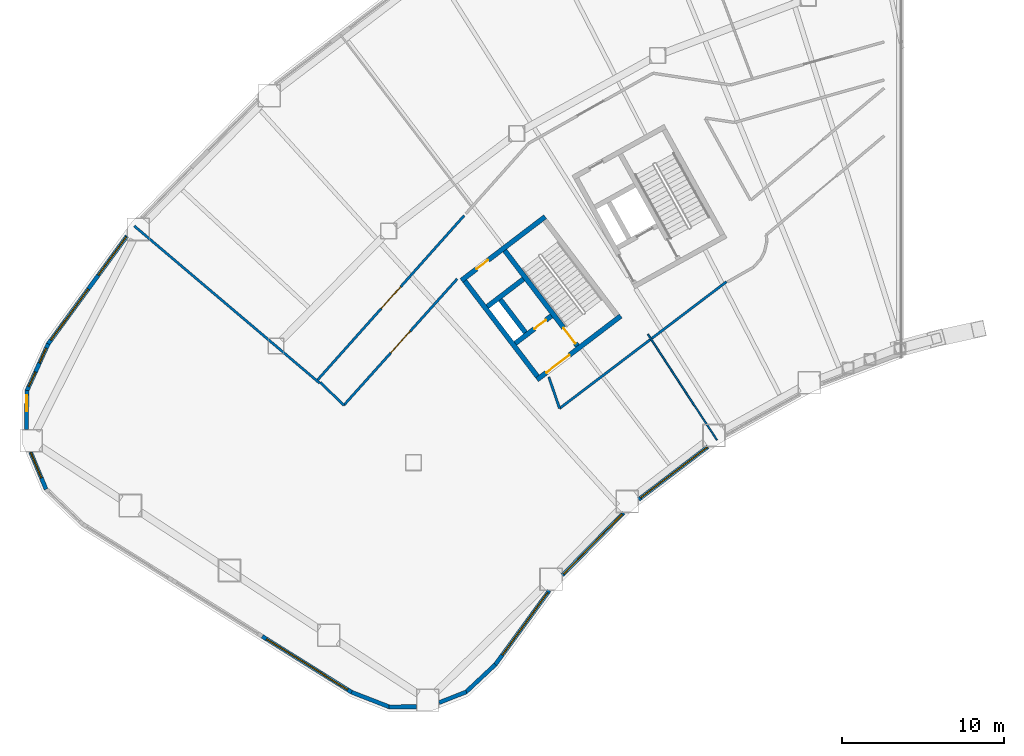
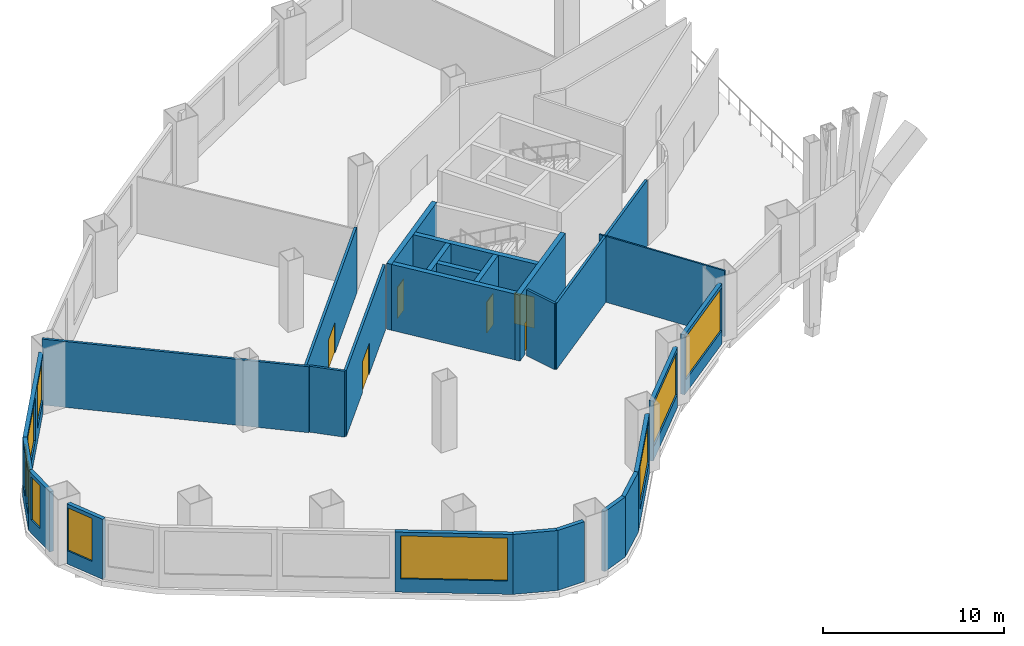
# One storey, part 6 of 14: 26 walls, 10 windows, 6 doors, 16 openings.
"""IFC4 building model written with IfcOpenShell, lengths in metres."""

from ifc_helpers import new_model, si_unit, direction, frame, frame_2d, origin, place, context, subcontext, project, spatial, rectangle, extrude, material, layer, layer_set, type_object, element, fill, save


model = new_model("IFC4")

# Units and contexts
model_context = context("Model", 3, precision=1e-05, world=origin(), true_north=direction((0.0, 1.0)))
body_context = subcontext(model_context, "Body", "Model", "MODEL_VIEW")
ifc_project = project(units=[si_unit("LENGTHUNIT", "METRE"), si_unit("AREAUNIT", "SQUARE_METRE"), si_unit("VOLUMEUNIT", "CUBIC_METRE"), si_unit("PLANEANGLEUNIT", "RADIAN"), si_unit("MASSUNIT", "GRAM", prefix="KILO")], contexts=[model_context])

# Site, building, storey
site_placement = place(None, origin())
site = spatial("IfcSite", under=ifc_project, at=site_placement, CompositionType="ELEMENT")
building_placement = place(site_placement, origin())
building = spatial("IfcBuilding", under=site, at=building_placement, Name="Tuul Gate Civic Tower", CompositionType="ELEMENT")
storey_placement = place(building_placement, frame((0.0, 0.0, 17.10009765625)))
storey = spatial("IfcBuildingStorey", under=building, at=storey_placement, Name="Level 03", CompositionType="ELEMENT", Elevation=17.10009765625)

# Wall, opening, door
ifc_material_1 = material(Name="Concrete C50/60", Category="concrete")
ifc_layer_1 = layer(ifc_material_1, 0.300048828125)
ifc_layer_set_1 = layer_set([ifc_layer_1], Name="Concrete C50/60")
wall_type_1 = type_object("IfcWallType", Name="Core wall C50/60", PredefinedType="SHEAR", material=ifc_layer_set_1)
wall_1_placement = place(storey_placement, frame((-31.19091796875, -13.669677734375, 0.0), z_axis=(0.0, 0.0, 1.0), x_axis=(-0.795606717756, -0.605813461934, 0.0)))
wall_1 = element("IfcWall", 1, at=wall_1_placement, inside=storey, type_object=wall_type_1, Name="Core wall", PredefinedType="SHEAR", context=body_context, shape_type="SweptSolid", body=[
    extrude(rectangle(XDim=6.5, YDim=0.300048828125, at=frame_2d((3.25, 0.0))), origin(), (0.0, 0.0, 1.0), 4.449951171875),
])
opening_1_placement = place(wall_1_placement, frame((3.97509765625, 0.0, 0.0)))
opening_1 = element("IfcOpeningElement", 2, at=opening_1_placement, cuts=wall_1, Name="Opening LB-W1-LOBBY-1", PredefinedType="OPENING", context=body_context, shape_type="SweptSolid", body=[
    extrude(rectangle(XDim=1.800048828125, YDim=2.10009765625, at=frame_2d((0.89990234375, 1.050048828125))), frame((0.0, 0.16015625, 0.0), z_axis=(0.0, -1.0, 0.0), x_axis=(1.0, 0.0, 0.0)), (0.0, 0.0, 1.0), 0.320068359375),
])
ifc_material_2 = material(Name="Steel", Category="steel")
door_type_1 = type_object("IfcDoorType", Name="Lobby door", OperationType="DOUBLE_DOOR_SINGLE_SWING", PredefinedType="DOOR", material=ifc_material_2)
door_1_placement = place(opening_1_placement, origin())
door_1 = element("IfcDoor", 3, at=door_1_placement, inside=storey, type_object=door_type_1, Name="Lobby door W1-LOBBY", OperationType="DOUBLE_DOOR_SINGLE_SWING", OverallHeight=2.10009765625, OverallWidth=1.800048828125, PredefinedType="DOOR", context=body_context, shape_type="SweptSolid", body=[
    extrude(rectangle(XDim=1.800048828125, YDim=2.10009765625, at=frame_2d((0.89990234375, 1.050048828125))), frame((0.0, 0.02490234375, 0.0), z_axis=(0.0, -1.0, 0.0), x_axis=(1.0, 0.0, 0.0)), (0.0, 0.0, 1.0), 0.050048828125),
])
fill(opening_1, door_1)

wall_2_placement = place(storey_placement, frame((-35.470947265625, -13.66064453125, 0.0), z_axis=(0.0, 0.0, 1.0), x_axis=(-0.795615822227, -0.605801504968, 0.0)))
wall_2 = element("IfcWall", 4, at=wall_2_placement, inside=storey, type_object=wall_type_1, Name="Core wall", PredefinedType="SHEAR", context=body_context, shape_type="SweptSolid", body=[
    extrude(rectangle(XDim=2.800048828125, YDim=0.300048828125, at=frame_2d((1.39990234375, 0.0))), origin(), (0.0, 0.0, 1.0), 4.449951171875),
])
opening_2_placement = place(wall_2_placement, frame((0.425048828125, 0.0, 0.0)))
opening_2 = element("IfcOpeningElement", 5, at=opening_2_placement, cuts=wall_2, Name="Opening FB-W1A1", PredefinedType="OPENING", context=body_context, shape_type="SweptSolid", body=[
    extrude(rectangle(XDim=0.89990234375, YDim=2.10009765625, at=frame_2d((0.449951171875, 1.050048828125))), frame((0.0, 0.16015625, 0.0), z_axis=(0.0, -1.0, 0.0), x_axis=(1.0, 0.0, 0.0)), (0.0, 0.0, 1.0), 0.320068359375),
])
ifc_material_3 = material(Name="Steel", Category="steel")
door_type_2 = type_object("IfcDoorType", Name="Store door", OperationType="NOTDEFINED", PredefinedType="DOOR", material=ifc_material_3)
door_2_placement = place(opening_2_placement, frame((0.89990234375, 0.0, 0.0), z_axis=(0.0, 0.0, 1.0), x_axis=(-1.0, 0.0, 0.0)))
door_2 = element("IfcDoor", 6, at=door_2_placement, inside=storey, type_object=door_type_2, Name="Store door W1A1", OperationType="SINGLE_SWING_RIGHT", OverallHeight=2.10009765625, OverallWidth=0.89990234375, PredefinedType="DOOR", context=body_context, shape_type="SweptSolid", body=[
    extrude(rectangle(XDim=0.89990234375, YDim=2.10009765625, at=frame_2d((0.449951171875, 1.050048828125))), frame((0.0, 0.02490234375, 0.0), z_axis=(0.0, -1.0, 0.0), x_axis=(1.0, 0.0, 0.0)), (0.0, 0.0, 1.0), 0.050048828125),
])
fill(opening_2, door_2)

# Wall
wall_3_placement = place(storey_placement, frame((-37.197509765625, -11.39306640625, 0.0), z_axis=(0.0, 0.0, 1.0), x_axis=(-0.795583820278, -0.605843531707, 0.0)))
element("IfcWall", 7, at=wall_3_placement, inside=storey, type_object=wall_type_1, Name="Core wall", PredefinedType="SHEAR", context=body_context, shape_type="SweptSolid", body=[
    extrude(rectangle(XDim=2.7998046875, YDim=0.300048828125, at=frame_2d((1.39990234375, 0.0))), origin(), (0.0, 0.0, 1.0), 4.449951171875),
])

# Wall, opening, door
wall_4_placement = place(storey_placement, frame((-35.855224609375, -7.543212890625, 0.0), z_axis=(0.0, 0.0, 1.0), x_axis=(-0.79563860527, -0.605771582202, 0.0)))
wall_4 = element("IfcWall", 8, at=wall_4_placement, inside=storey, type_object=wall_type_1, Name="Core wall", PredefinedType="SHEAR", context=body_context, shape_type="SweptSolid", body=[
    extrude(rectangle(XDim=6.5, YDim=0.300048828125, at=frame_2d((3.25, 0.0))), origin(), (0.0, 0.0, 1.0), 4.449951171875),
])
opening_3_placement = place(wall_4_placement, frame((4.425048828125, 0.0, 0.0)))
opening_3 = element("IfcOpeningElement", 9, at=opening_3_placement, cuts=wall_4, Name="Opening QC-D20", PredefinedType="OPENING", context=body_context, shape_type="SweptSolid", body=[
    extrude(rectangle(XDim=0.89990234375, YDim=2.10009765625, at=frame_2d((0.449951171875, 1.050048828125))), frame((0.0, 0.16015625, 0.0), z_axis=(0.0, -1.0, 0.0), x_axis=(1.0, 0.0, 0.0)), (0.0, 0.0, 1.0), 0.320068359375),
])
ifc_material_4 = material(Name="Timber door leaf", Category="wood")
door_type_3 = type_object("IfcDoorType", Name="Door D09", OperationType="NOTDEFINED", PredefinedType="DOOR", material=ifc_material_4)
door_3_placement = place(opening_3_placement, origin())
door_3 = element("IfcDoor", 10, at=door_3_placement, inside=storey, type_object=door_type_3, Name="Door QC-D20", OperationType="SINGLE_SWING_LEFT", OverallHeight=2.10009765625, OverallWidth=0.89990234375, PredefinedType="DOOR", context=body_context, shape_type="SweptSolid", body=[
    extrude(rectangle(XDim=0.89990234375, YDim=2.10009765625, at=frame_2d((0.449951171875, 1.050048828125))), frame((0.0, 0.02490234375, 0.0), z_axis=(0.0, -1.0, 0.0), x_axis=(1.0, 0.0, 0.0)), (0.0, 0.0, 1.0), 0.050048828125),
])
fill(opening_3, door_3)

wall_5_placement = place(storey_placement, frame((-33.867431640625, -15.51904296875, 0.0), z_axis=(0.0, 0.0, 1.0), x_axis=(-0.605769822278, 0.795639945213, 0.0)))
wall_5 = element("IfcWall", 11, at=wall_5_placement, inside=storey, type_object=wall_type_1, Name="Core wall", PredefinedType="SHEAR", context=body_context, shape_type="SweptSolid", body=[
    extrude(rectangle(XDim=7.39990234375, YDim=0.300048828125, at=frame_2d((3.699951171875, 0.0))), origin(), (0.0, 0.0, 1.0), 4.449951171875),
])
opening_4_placement = place(wall_5_placement, frame((0.199951171875, 0.0, 0.0)))
opening_4 = element("IfcOpeningElement", 12, at=opening_4_placement, cuts=wall_5, Name="Opening SD-ST-1", PredefinedType="OPENING", context=body_context, shape_type="SweptSolid", body=[
    extrude(rectangle(XDim=1.199951171875, YDim=2.10009765625, at=frame_2d((0.60009765625, 1.050048828125))), frame((0.0, 0.16015625, 0.0), z_axis=(0.0, -1.0, 0.0), x_axis=(1.0, 0.0, 0.0)), (0.0, 0.0, 1.0), 0.320068359375),
])
ifc_material_5 = material(Name="Steel", Category="steel")
door_type_4 = type_object("IfcDoorType", Name="Stair door", OperationType="NOTDEFINED", PredefinedType="DOOR", material=ifc_material_5)
door_4_placement = place(opening_4_placement, origin())
door_4 = element("IfcDoor", 13, at=door_4_placement, inside=storey, type_object=door_type_4, Name="Stair door ST-1", OperationType="SINGLE_SWING_LEFT", OverallHeight=2.10009765625, OverallWidth=1.199951171875, PredefinedType="DOOR", context=body_context, shape_type="SweptSolid", body=[
    extrude(rectangle(XDim=1.199951171875, YDim=2.10009765625, at=frame_2d((0.60009765625, 1.050048828125))), frame((0.0, 0.02490234375, 0.0), z_axis=(0.0, -1.0, 0.0), x_axis=(1.0, 0.0, 0.0)), (0.0, 0.0, 1.0), 0.050048828125),
])
fill(opening_4, door_4)

# Walls
wall_6_placement = place(storey_placement, frame((-37.073486328125, -14.6923828125, 0.0), z_axis=(0.0, 0.0, 1.0), x_axis=(-0.605728760074, 0.79567120673, 0.0)))
element("IfcWall", 14, at=wall_6_placement, inside=storey, type_object=wall_type_1, Name="Core wall", PredefinedType="SHEAR", context=body_context, shape_type="SweptSolid", body=[
    extrude(rectangle(XDim=2.550048828125, YDim=0.300048828125, at=frame_2d((1.27490234375, 0.0))), origin(), (0.0, 0.0, 1.0), 4.449951171875),
])
wall_7_placement = place(storey_placement, frame((-36.333984375, -17.397216796875, 0.0), z_axis=(0.0, 0.0, 1.0), x_axis=(-0.605753921168, 0.795652051458, 0.0)))
element("IfcWall", 15, at=wall_7_placement, inside=storey, type_object=wall_type_1, Name="Core wall", PredefinedType="SHEAR", context=body_context, shape_type="SweptSolid", body=[
    extrude(rectangle(XDim=7.400146484375, YDim=0.300048828125, at=frame_2d((3.7001953125, 0.0))), origin(), (0.0, 0.0, 1.0), 4.449951171875),
])

# Wall, opening, door
ifc_material_6 = material(Name="Gypsum board partition")
ifc_layer_2 = layer(ifc_material_6, 0.14990234375)
ifc_layer_set_2 = layer_set([ifc_layer_2], Name="Gypsum board partition")
wall_type_2 = type_object("IfcWallType", Name="Corridor wall P150", PredefinedType="PARTITIONING", material=ifc_layer_set_2)
wall_8_placement = place(storey_placement, frame((-49.89306640625, -17.607421875, 0.0), z_axis=(0.0, 0.0, 1.0), x_axis=(0.665630543128, 0.746281434886, 0.0)))
wall_8 = element("IfcWall", 16, at=wall_8_placement, inside=storey, type_object=wall_type_2, Name="p018", PredefinedType="PARTITIONING", context=body_context, shape_type="SweptSolid", body=[
    extrude(rectangle(XDim=13.57958984375, YDim=0.14990234375, at=frame_2d((6.789794921875, 0.0))), origin(), (0.0, 0.0, 1.0), 4.449951171875),
])
opening_5_placement = place(wall_8_placement, frame((5.889892578125, 0.0, 0.0)))
opening_5 = element("IfcOpeningElement", 17, at=opening_5_placement, cuts=wall_8, Name="Opening QC-D06", PredefinedType="OPENING", context=body_context, shape_type="SweptSolid", body=[
    extrude(rectangle(XDim=1.800048828125, YDim=2.10009765625, at=frame_2d((0.89990234375, 1.050048828125))), frame((0.0, 0.0849609375, 0.0), z_axis=(0.0, -1.0, 0.0), x_axis=(1.0, 0.0, 0.0)), (0.0, 0.0, 1.0), 0.169921875),
])
ifc_material_7 = material(Name="Timber door leaf, double", Category="wood")
door_type_5 = type_object("IfcDoorType", Name="Door D18", OperationType="DOUBLE_DOOR_SINGLE_SWING", PredefinedType="DOOR", material=ifc_material_7)
door_5_placement = place(opening_5_placement, origin())
door_5 = element("IfcDoor", 18, at=door_5_placement, inside=storey, type_object=door_type_5, Name="Door QC-D06", OperationType="DOUBLE_DOOR_SINGLE_SWING", OverallHeight=2.10009765625, OverallWidth=1.800048828125, PredefinedType="DOOR", context=body_context, shape_type="SweptSolid", body=[
    extrude(rectangle(XDim=1.800048828125, YDim=2.10009765625, at=frame_2d((0.89990234375, 1.050048828125))), frame((0.0, 0.02490234375, 0.0), z_axis=(0.0, -1.0, 0.0), x_axis=(1.0, 0.0, 0.0)), (0.0, 0.0, 1.0), 0.050048828125),
])
fill(opening_5, door_5)

# Walls
wall_9_placement = place(storey_placement, frame((-49.72705078125, -17.77001953125, 0.0), z_axis=(0.0, 0.0, 1.0), x_axis=(0.717018435947, -0.697054203424, 0.0)))
element("IfcWall", 19, at=wall_9_placement, inside=storey, type_object=wall_type_2, Name="p022", PredefinedType="PARTITIONING", context=body_context, shape_type="SweptSolid", body=[
    extrude(rectangle(XDim=2.017822265625, YDim=0.14990234375, at=frame_2d((1.0087890625, 0.0))), origin(), (0.0, 0.0, 1.0), 4.449951171875),
])
wall_10_placement = place(storey_placement, frame((-61.213623046875, -8.1142578125, 0.0), z_axis=(0.0, 0.0, 1.0), x_axis=(0.762863616732, -0.646559434442, 0.0)))
element("IfcWall", 20, at=wall_10_placement, inside=storey, type_object=wall_type_2, Name="p023", PredefinedType="PARTITIONING", context=body_context, shape_type="SweptSolid", body=[
    extrude(rectangle(XDim=14.996337890625, YDim=0.14990234375, at=frame_2d((7.498046875, 0.0))), origin(), (0.0, 0.0, 1.0), 4.449951171875),
])
wall_11_placement = place(storey_placement, frame((-34.96630859375, -19.373779296875, 0.0), z_axis=(0.0, 0.0, 1.0), x_axis=(0.796510976009, 0.604624069234, 0.0)))
element("IfcWall", 21, at=wall_11_placement, inside=storey, type_object=wall_type_2, Name="p031", PredefinedType="PARTITIONING", context=body_context, shape_type="SweptSolid", body=[
    extrude(rectangle(XDim=12.930419921875, YDim=0.14990234375, at=frame_2d((6.46533203125, 0.0))), origin(), (0.0, 0.0, 1.0), 4.449951171875),
])

# Wall, opening, door
wall_12_placement = place(storey_placement, frame((-48.2802734375, -19.176513671875, 0.0), z_axis=(0.0, 0.0, 1.0), x_axis=(0.667908748066, 0.744243175485, 0.0)))
wall_12 = element("IfcWall", 22, at=wall_12_placement, inside=storey, type_object=wall_type_2, Name="p039", PredefinedType="PARTITIONING", context=body_context, shape_type="SweptSolid", body=[
    extrude(rectangle(XDim=10.468017578125, YDim=0.14990234375, at=frame_2d((5.23388671875, 0.0))), origin(), (0.0, 0.0, 1.0), 4.449951171875),
])
opening_6_placement = place(wall_12_placement, frame((4.333984375, 0.0, 0.0)))
opening_6 = element("IfcOpeningElement", 23, at=opening_6_placement, cuts=wall_12, Name="Opening QC-D11", PredefinedType="OPENING", context=body_context, shape_type="SweptSolid", body=[
    extrude(rectangle(XDim=1.800048828125, YDim=2.10009765625, at=frame_2d((0.89990234375, 1.050048828125))), frame((0.0, 0.0849609375, 0.0), z_axis=(0.0, -1.0, 0.0), x_axis=(1.0, 0.0, 0.0)), (0.0, 0.0, 1.0), 0.169921875),
])
door_6_placement = place(opening_6_placement, frame((1.800048828125, 0.0, 0.0), z_axis=(0.0, 0.0, 1.0), x_axis=(-1.0, 0.0, 0.0)))
door_6 = element("IfcDoor", 24, at=door_6_placement, inside=storey, type_object=door_type_5, Name="Door QC-D11", OperationType="DOUBLE_DOOR_SINGLE_SWING", OverallHeight=2.10009765625, OverallWidth=1.800048828125, PredefinedType="DOOR", context=body_context, shape_type="SweptSolid", body=[
    extrude(rectangle(XDim=1.800048828125, YDim=2.10009765625, at=frame_2d((0.900146484375, 1.050048828125))), frame((0.0, 0.02490234375, 0.0), z_axis=(0.0, -1.0, 0.0), x_axis=(1.0, 0.0, 0.0)), (0.0, 0.0, 1.0), 0.050048828125),
])
fill(opening_6, door_6)

# Wall
wall_13_placement = place(storey_placement, frame((-35.632568359375, -17.4287109375, 0.0), z_axis=(0.0, 0.0, 1.0), x_axis=(0.32412398195, -0.946014611053, 0.0)))
element("IfcWall", 25, at=wall_13_placement, inside=storey, type_object=wall_type_2, Name="p040", PredefinedType="PARTITIONING", context=body_context, shape_type="SweptSolid", body=[
    extrude(rectangle(XDim=2.056396484375, YDim=0.14990234375, at=frame_2d((1.0283203125, 0.0))), origin(), (0.0, 0.0, 1.0), 4.449951171875),
])

# Wall, openings, windows
ifc_material_8 = material(Name="Precast concrete C40/50", Category="concrete")
ifc_layer_3 = layer(ifc_material_8, 0.25)
ifc_layer_set_3 = layer_set([ifc_layer_3], Name="Precast concrete C40/50")
wall_type_3 = type_object("IfcWallType", Name="External wall", PredefinedType="STANDARD", material=ifc_layer_set_3)
wall_14_placement = place(storey_placement, frame((-61.660888671875, -8.7353515625, 0.0), z_axis=(0.0, 0.0, 1.0), x_axis=(-0.589883240256, -0.807488552777, 0.0)))
wall_14 = element("IfcWall", 26, at=wall_14_placement, inside=storey, type_object=wall_type_3, Name="External wall", PredefinedType="STANDARD", context=body_context, shape_type="SweptSolid", body=[
    extrude(rectangle(XDim=8.26318359375, YDim=0.25, at=frame_2d((4.131591796875, 0.0))), origin(), (0.0, 0.0, 1.0), 4.0498046875),
])
opening_7_placement = place(wall_14_placement, frame((0.0859375, 0.0, 0.89990234375)))
opening_7 = element("IfcOpeningElement", 27, at=opening_7_placement, cuts=wall_14, Name="Opening W83", PredefinedType="OPENING", context=body_context, shape_type="SweptSolid", body=[
    extrude(rectangle(XDim=2.89990234375, YDim=2.89990234375, at=frame_2d((1.449951171875, 1.449951171875))), frame((0.0, 0.135009765625, 0.0), z_axis=(0.0, -1.0, 0.0), x_axis=(1.0, 0.0, 0.0)), (0.0, 0.0, 1.0), 0.27001953125),
])
opening_8_placement = place(wall_14_placement, frame((4.0537109375, 0.0, 0.89990234375)))
opening_8 = element("IfcOpeningElement", 28, at=opening_8_placement, cuts=wall_14, Name="Opening W11", PredefinedType="OPENING", context=body_context, shape_type="SweptSolid", body=[
    extrude(rectangle(XDim=3.89990234375, YDim=2.89990234375, at=frame_2d((1.949951171875, 1.449951171875))), frame((0.0, 0.135009765625, 0.0), z_axis=(0.0, -1.0, 0.0), x_axis=(1.0, 0.0, 0.0)), (0.0, 0.0, 1.0), 0.27001953125),
])
ifc_material_9 = material(Name="Glass", Category="glass")
window_type_1 = type_object("IfcWindowType", Name="Window W11 3900 x 2900", PartitioningType="SINGLE_PANEL", PredefinedType="WINDOW", material=ifc_material_9)
window_1_placement = place(opening_8_placement, origin())
window_1 = element("IfcWindow", 29, at=window_1_placement, inside=storey, type_object=window_type_1, Name="Window", OverallHeight=2.89990234375, OverallWidth=3.89990234375, PartitioningType="SINGLE_PANEL", PredefinedType="WINDOW", context=body_context, shape_type="SweptSolid", body=[
    extrude(rectangle(XDim=3.89990234375, YDim=2.89990234375, at=frame_2d((1.949951171875, 1.449951171875))), frame((0.0, 0.030029296875, 0.0), z_axis=(0.0, -1.0, 0.0), x_axis=(1.0, 0.0, 0.0)), (0.0, 0.0, 1.0), 0.06005859375),
])
fill(opening_8, window_1)
ifc_material_10 = material(Name="Glass", Category="glass")
window_type_2 = type_object("IfcWindowType", Name="Window W83 2900 x 2900", PartitioningType="SINGLE_PANEL", PredefinedType="WINDOW", material=ifc_material_10)
window_2_placement = place(opening_7_placement, origin())
window_2 = element("IfcWindow", 30, at=window_2_placement, inside=storey, type_object=window_type_2, Name="Window", OverallHeight=2.89990234375, OverallWidth=2.89990234375, PartitioningType="SINGLE_PANEL", PredefinedType="WINDOW", context=body_context, shape_type="SweptSolid", body=[
    extrude(rectangle(XDim=2.89990234375, YDim=2.89990234375, at=frame_2d((1.449951171875, 1.449951171875))), frame((0.0, 0.030029296875, 0.0), z_axis=(0.0, -1.0, 0.0), x_axis=(1.0, 0.0, 0.0)), (0.0, 0.0, 1.0), 0.06005859375),
])
fill(opening_7, window_2)

wall_15_placement = place(storey_placement, frame((-66.522216796875, -15.385498046875, 0.0), z_axis=(0.0, 0.0, 1.0), x_axis=(-0.412481289983, -0.910966072592, 0.0)))
wall_15 = element("IfcWall", 31, at=wall_15_placement, inside=storey, type_object=wall_type_3, Name="External wall", PredefinedType="STANDARD", context=body_context, shape_type="SweptSolid", body=[
    extrude(rectangle(XDim=3.2021484375, YDim=0.25, at=frame_2d((1.60107421875, 0.0))), origin(), (0.0, 0.0, 1.0), 4.0498046875),
])
opening_9_placement = place(wall_15_placement, frame((0.300537109375, 0.0, 0.89990234375)))
opening_9 = element("IfcOpeningElement", 32, at=opening_9_placement, cuts=wall_15, Name="Opening W10", PredefinedType="OPENING", context=body_context, shape_type="SweptSolid", body=[
    extrude(rectangle(XDim=1.0, YDim=2.89990234375, at=frame_2d((0.5, 1.449951171875))), frame((0.0, 0.135009765625, 0.0), z_axis=(0.0, -1.0, 0.0), x_axis=(1.0, 0.0, 0.0)), (0.0, 0.0, 1.0), 0.27001953125),
])
opening_10_placement = place(wall_15_placement, frame((1.901611328125, 0.0, 0.89990234375)))
opening_10 = element("IfcOpeningElement", 33, at=opening_10_placement, cuts=wall_15, Name="Opening W10", PredefinedType="OPENING", context=body_context, shape_type="SweptSolid", body=[
    extrude(rectangle(XDim=1.0, YDim=2.89990234375, at=frame_2d((0.5, 1.449951171875))), frame((0.0, 0.135009765625, 0.0), z_axis=(0.0, -1.0, 0.0), x_axis=(1.0, 0.0, 0.0)), (0.0, 0.0, 1.0), 0.27001953125),
])
ifc_material_11 = material(Name="Glass", Category="glass")
window_type_3 = type_object("IfcWindowType", Name="Window W10 1000 x 2900", PartitioningType="SINGLE_PANEL", PredefinedType="WINDOW", material=ifc_material_11)
window_3_placement = place(opening_9_placement, origin())
window_3 = element("IfcWindow", 34, at=window_3_placement, inside=storey, type_object=window_type_3, Name="Window", OverallHeight=2.89990234375, OverallWidth=1.0, PartitioningType="SINGLE_PANEL", PredefinedType="WINDOW", context=body_context, shape_type="SweptSolid", body=[
    extrude(rectangle(XDim=1.0, YDim=2.89990234375, at=frame_2d((0.5, 1.449951171875))), frame((0.0, 0.030029296875, 0.0), z_axis=(0.0, -1.0, 0.0), x_axis=(1.0, 0.0, 0.0)), (0.0, 0.0, 1.0), 0.06005859375),
])
fill(opening_9, window_3)
window_4_placement = place(opening_10_placement, origin())
window_4 = element("IfcWindow", 35, at=window_4_placement, inside=storey, type_object=window_type_3, Name="Window", OverallHeight=2.89990234375, OverallWidth=1.0, PartitioningType="SINGLE_PANEL", PredefinedType="WINDOW", context=body_context, shape_type="SweptSolid", body=[
    extrude(rectangle(XDim=1.0, YDim=2.89990234375, at=frame_2d((0.5, 1.449951171875))), frame((0.0, 0.030029296875, 0.0), z_axis=(0.0, -1.0, 0.0), x_axis=(1.0, 0.0, 0.0)), (0.0, 0.0, 1.0), 0.06005859375),
])
fill(opening_10, window_4)

# Wall, opening, window
wall_16_placement = place(storey_placement, frame((-67.83203125, -18.2529296875, 0.0), z_axis=(0.0, 0.0, 1.0), x_axis=(-0.014662663038, -0.999892497378, 0.0)))
wall_16 = element("IfcWall", 36, at=wall_16_placement, inside=storey, type_object=wall_type_3, Name="External wall", PredefinedType="STANDARD", context=body_context, shape_type="SweptSolid", body=[
    extrude(rectangle(XDim=2.414306640625, YDim=0.25, at=frame_2d((1.20703125, 0.0))), origin(), (0.0, 0.0, 1.0), 4.0498046875),
])
opening_11_placement = place(wall_16_placement, frame((0.300537109375, 0.0, 0.89990234375)))
opening_11 = element("IfcOpeningElement", 37, at=opening_11_placement, cuts=wall_16, Name="Opening W10", PredefinedType="OPENING", context=body_context, shape_type="SweptSolid", body=[
    extrude(rectangle(XDim=1.0, YDim=2.89990234375, at=frame_2d((0.5, 1.449951171875))), frame((0.0, 0.135009765625, 0.0), z_axis=(0.0, -1.0, 0.0), x_axis=(1.0, 0.0, 0.0)), (0.0, 0.0, 1.0), 0.27001953125),
])
window_5_placement = place(opening_11_placement, origin())
window_5 = element("IfcWindow", 38, at=window_5_placement, inside=storey, type_object=window_type_3, Name="Window", OverallHeight=2.89990234375, OverallWidth=1.0, PartitioningType="SINGLE_PANEL", PredefinedType="WINDOW", context=body_context, shape_type="SweptSolid", body=[
    extrude(rectangle(XDim=1.0, YDim=2.89990234375, at=frame_2d((0.5, 1.449951171875))), frame((0.0, 0.030029296875, 0.0), z_axis=(0.0, -1.0, 0.0), x_axis=(1.0, 0.0, 0.0)), (0.0, 0.0, 1.0), 0.06005859375),
])
fill(opening_11, window_5)

wall_17_placement = place(storey_placement, frame((-67.61181640625, -22.06689453125, 0.0), z_axis=(0.0, 0.0, 1.0), x_axis=(0.38573160677, -0.922611038054, 0.0)))
wall_17 = element("IfcWall", 39, at=wall_17_placement, inside=storey, type_object=wall_type_3, Name="External wall", PredefinedType="STANDARD", context=body_context, shape_type="SweptSolid", body=[
    extrude(rectangle(XDim=2.484130859375, YDim=0.25, at=frame_2d((1.2421875, 0.0))), origin(), (0.0, 0.0, 1.0), 4.0498046875),
])
opening_12_placement = place(wall_17_placement, frame((0.033203125, 0.0, 0.89990234375)))
opening_12 = element("IfcOpeningElement", 40, at=opening_12_placement, cuts=wall_17, Name="Opening W9", PredefinedType="OPENING", context=body_context, shape_type="SweptSolid", body=[
    extrude(rectangle(XDim=1.699951171875, YDim=2.89990234375, at=frame_2d((0.85009765625, 1.449951171875))), frame((0.0, 0.135009765625, 0.0), z_axis=(0.0, -1.0, 0.0), x_axis=(1.0, 0.0, 0.0)), (0.0, 0.0, 1.0), 0.27001953125),
])
ifc_material_12 = material(Name="Glass", Category="glass")
window_type_4 = type_object("IfcWindowType", Name="Window W9 1700 x 2900", PartitioningType="SINGLE_PANEL", PredefinedType="WINDOW", material=ifc_material_12)
window_6_placement = place(opening_12_placement, origin())
window_6 = element("IfcWindow", 41, at=window_6_placement, inside=storey, type_object=window_type_4, Name="Window", OverallHeight=2.89990234375, OverallWidth=1.699951171875, PartitioningType="SINGLE_PANEL", PredefinedType="WINDOW", context=body_context, shape_type="SweptSolid", body=[
    extrude(rectangle(XDim=1.699951171875, YDim=2.89990234375, at=frame_2d((0.85009765625, 1.449951171875))), frame((0.0, 0.030029296875, 0.0), z_axis=(0.0, -1.0, 0.0), x_axis=(1.0, 0.0, 0.0)), (0.0, 0.0, 1.0), 0.06005859375),
])
fill(opening_12, window_6)

wall_18_placement = place(storey_placement, frame((-53.315185546875, -33.435546875, 0.0), z_axis=(0.0, 0.0, 1.0), x_axis=(0.848025609636, -0.529955248489, 0.0)))
wall_18 = element("IfcWall", 42, at=wall_18_placement, inside=storey, type_object=wall_type_3, Name="External wall", PredefinedType="STANDARD", context=body_context, shape_type="SweptSolid", body=[
    extrude(rectangle(XDim=6.52978515625, YDim=0.25, at=frame_2d((3.264892578125, 0.0))), origin(), (0.0, 0.0, 1.0), 4.0498046875),
])
opening_13_placement = place(wall_18_placement, frame((0.314697265625, 0.0, 0.89990234375)))
opening_13 = element("IfcOpeningElement", 43, at=opening_13_placement, cuts=wall_18, Name="Opening W14", PredefinedType="OPENING", context=body_context, shape_type="SweptSolid", body=[
    extrude(rectangle(XDim=5.89990234375, YDim=2.89990234375, at=frame_2d((2.949951171875, 1.449951171875))), frame((0.0, 0.135009765625, 0.0), z_axis=(0.0, -1.0, 0.0), x_axis=(1.0, 0.0, 0.0)), (0.0, 0.0, 1.0), 0.27001953125),
])
ifc_material_13 = material(Name="Glass", Category="glass")
window_type_5 = type_object("IfcWindowType", Name="Window W14 5900 x 2900", PartitioningType="SINGLE_PANEL", PredefinedType="WINDOW", material=ifc_material_13)
window_7_placement = place(opening_13_placement, origin())
window_7 = element("IfcWindow", 44, at=window_7_placement, inside=storey, type_object=window_type_5, Name="Window", OverallHeight=2.89990234375, OverallWidth=5.89990234375, PartitioningType="SINGLE_PANEL", PredefinedType="WINDOW", context=body_context, shape_type="SweptSolid", body=[
    extrude(rectangle(XDim=5.89990234375, YDim=2.89990234375, at=frame_2d((2.949951171875, 1.449951171875))), frame((0.0, 0.030029296875, 0.0), z_axis=(0.0, -1.0, 0.0), x_axis=(1.0, 0.0, 0.0)), (0.0, 0.0, 1.0), 0.06005859375),
])
fill(opening_13, window_7)

# Walls
wall_19_placement = place(storey_placement, frame((-47.798583984375, -36.885498046875, 0.0), z_axis=(0.0, 0.0, 1.0), x_axis=(0.931986397936, -0.36249324692, 0.0)))
element("IfcWall", 45, at=wall_19_placement, inside=storey, type_object=wall_type_3, Name="External wall", PredefinedType="STANDARD", context=body_context, shape_type="SweptSolid", body=[
    extrude(rectangle(XDim=2.507568359375, YDim=0.25, at=frame_2d((1.25390625, 0.0))), origin(), (0.0, 0.0, 1.0), 4.0498046875),
])
wall_20_placement = place(storey_placement, frame((-45.50732421875, -37.785888671875, 0.0), z_axis=(0.0, 0.0, 1.0), x_axis=(0.999995034341, 0.003151395324, 0.0)))
element("IfcWall", 46, at=wall_20_placement, inside=storey, type_object=wall_type_3, Name="External wall", PredefinedType="STANDARD", context=body_context, shape_type="SweptSolid", body=[
    extrude(rectangle(XDim=1.704345703125, YDim=0.25, at=frame_2d((0.85205078125, 0.0))), origin(), (0.0, 0.0, 1.0), 4.0498046875),
])
wall_21_placement = place(storey_placement, frame((-42.403076171875, -37.531005859375, 0.0), z_axis=(0.0, 0.0, 1.0), x_axis=(0.929466539536, 0.368906427001, 0.0)))
element("IfcWall", 47, at=wall_21_placement, inside=storey, type_object=wall_type_3, Name="External wall", PredefinedType="STANDARD", context=body_context, shape_type="SweptSolid", body=[
    extrude(rectangle(XDim=1.81396484375, YDim=0.25, at=frame_2d((0.906982421875, 0.0))), origin(), (0.0, 0.0, 1.0), 4.0498046875),
])
wall_22_placement = place(storey_placement, frame((-40.75634765625, -36.88671875, 0.0), z_axis=(0.0, 0.0, 1.0), x_axis=(0.729855985574, 0.683600936455, 0.0)))
element("IfcWall", 48, at=wall_22_placement, inside=storey, type_object=wall_type_3, Name="External wall", PredefinedType="STANDARD", context=body_context, shape_type="SweptSolid", body=[
    extrude(rectangle(XDim=2.507080078125, YDim=0.25, at=frame_2d((1.25341796875, 0.0))), origin(), (0.0, 0.0, 1.0), 4.0498046875),
])

# Wall, opening, window
wall_23_placement = place(storey_placement, frame((-38.94189453125, -35.190185546875, 0.0), z_axis=(0.0, 0.0, 1.0), x_axis=(0.589744217154, 0.807590093013, 0.0)))
wall_23 = element("IfcWall", 49, at=wall_23_placement, inside=storey, type_object=wall_type_3, Name="External wall", PredefinedType="STANDARD", context=body_context, shape_type="SweptSolid", body=[
    extrude(rectangle(XDim=5.6640625, YDim=0.25, at=frame_2d((2.83203125, 0.0))), origin(), (0.0, 0.0, 1.0), 4.0498046875),
])
opening_14_placement = place(wall_23_placement, frame((0.755859375, 0.0, 0.89990234375)))
opening_14 = element("IfcOpeningElement", 50, at=opening_14_placement, cuts=wall_23, Name="Opening W17", PredefinedType="OPENING", context=body_context, shape_type="SweptSolid", body=[
    extrude(rectangle(XDim=4.75, YDim=2.89990234375, at=frame_2d((2.375, 1.449951171875))), frame((0.0, 0.135009765625, 0.0), z_axis=(0.0, -1.0, 0.0), x_axis=(1.0, 0.0, 0.0)), (0.0, 0.0, 1.0), 0.27001953125),
])
ifc_material_14 = material(Name="Glass", Category="glass")
window_type_6 = type_object("IfcWindowType", Name="Window W17 4750 x 2900", PartitioningType="SINGLE_PANEL", PredefinedType="WINDOW", material=ifc_material_14)
window_8_placement = place(opening_14_placement, origin())
window_8 = element("IfcWindow", 51, at=window_8_placement, inside=storey, type_object=window_type_6, Name="Window", OverallHeight=2.89990234375, OverallWidth=4.75, PartitioningType="SINGLE_PANEL", PredefinedType="WINDOW", context=body_context, shape_type="SweptSolid", body=[
    extrude(rectangle(XDim=4.75, YDim=2.89990234375, at=frame_2d((2.375, 1.449951171875))), frame((0.0, 0.030029296875, 0.0), z_axis=(0.0, -1.0, 0.0), x_axis=(1.0, 0.0, 0.0)), (0.0, 0.0, 1.0), 0.06005859375),
])
fill(opening_14, window_8)

wall_24_placement = place(storey_placement, frame((-34.7919921875, -29.665283203125, 0.0), z_axis=(0.0, 0.0, 1.0), x_axis=(0.700007573651, 0.714135419112, 0.0)))
wall_24 = element("IfcWall", 52, at=wall_24_placement, inside=storey, type_object=wall_type_3, Name="External wall", PredefinedType="STANDARD", context=body_context, shape_type="SweptSolid", body=[
    extrude(rectangle(XDim=5.3916015625, YDim=0.25, at=frame_2d((2.69580078125, 0.0))), origin(), (0.0, 0.0, 1.0), 4.0498046875),
])
opening_15_placement = place(wall_24_placement, frame((0.117431640625, 0.0, 0.89990234375)))
opening_15 = element("IfcOpeningElement", 53, at=opening_15_placement, cuts=wall_24, Name="Opening W18", PredefinedType="OPENING", context=body_context, shape_type="SweptSolid", body=[
    extrude(rectangle(XDim=5.14990234375, YDim=2.89990234375, at=frame_2d((2.574951171875, 1.449951171875))), frame((0.0, 0.135009765625, 0.0), z_axis=(0.0, -1.0, 0.0), x_axis=(1.0, 0.0, 0.0)), (0.0, 0.0, 1.0), 0.27001953125),
])
ifc_material_15 = material(Name="Glass", Category="glass")
window_type_7 = type_object("IfcWindowType", Name="Window W18 5150 x 2900", PartitioningType="SINGLE_PANEL", PredefinedType="WINDOW", material=ifc_material_15)
window_9_placement = place(opening_15_placement, origin())
window_9 = element("IfcWindow", 54, at=window_9_placement, inside=storey, type_object=window_type_7, Name="Window", OverallHeight=2.89990234375, OverallWidth=5.14990234375, PartitioningType="SINGLE_PANEL", PredefinedType="WINDOW", context=body_context, shape_type="SweptSolid", body=[
    extrude(rectangle(XDim=5.14990234375, YDim=2.89990234375, at=frame_2d((2.574951171875, 1.449951171875))), frame((0.0, 0.030029296875, 0.0), z_axis=(0.0, -1.0, 0.0), x_axis=(1.0, 0.0, 0.0)), (0.0, 0.0, 1.0), 0.06005859375),
])
fill(opening_15, window_9)

wall_25_placement = place(storey_placement, frame((-30.0859375, -24.98974609375, 0.0), z_axis=(0.0, 0.0, 1.0), x_axis=(0.795633484335, 0.605778308134, 0.0)))
wall_25 = element("IfcWall", 55, at=wall_25_placement, inside=storey, type_object=wall_type_3, Name="External wall", PredefinedType="STANDARD", context=body_context, shape_type="SweptSolid", body=[
    extrude(rectangle(XDim=5.35986328125, YDim=0.25, at=frame_2d((2.679931640625, 0.0))), origin(), (0.0, 0.0, 1.0), 4.0498046875),
])
opening_16_placement = place(wall_25_placement, frame((0.1533203125, 0.0, 0.89990234375)))
opening_16 = element("IfcOpeningElement", 56, at=opening_16_placement, cuts=wall_25, Name="Opening W18", PredefinedType="OPENING", context=body_context, shape_type="SweptSolid", body=[
    extrude(rectangle(XDim=5.14990234375, YDim=2.89990234375, at=frame_2d((2.574951171875, 1.449951171875))), frame((0.0, 0.135009765625, 0.0), z_axis=(0.0, -1.0, 0.0), x_axis=(1.0, 0.0, 0.0)), (0.0, 0.0, 1.0), 0.27001953125),
])
window_10_placement = place(opening_16_placement, origin())
window_10 = element("IfcWindow", 57, at=window_10_placement, inside=storey, type_object=window_type_7, Name="Window", OverallHeight=2.89990234375, OverallWidth=5.14990234375, PartitioningType="SINGLE_PANEL", PredefinedType="WINDOW", context=body_context, shape_type="SweptSolid", body=[
    extrude(rectangle(XDim=5.14990234375, YDim=2.89990234375, at=frame_2d((2.574951171875, 1.449951171875))), frame((0.0, 0.030029296875, 0.0), z_axis=(0.0, -1.0, 0.0), x_axis=(1.0, 0.0, 0.0)), (0.0, 0.0, 1.0), 0.06005859375),
])
fill(opening_16, window_10)

# Wall
ifc_material_16 = material(Name="Gypsum board partition")
ifc_layer_4 = layer(ifc_material_16, 0.10009765625)
ifc_layer_set_4 = layer_set([ifc_layer_4], Name="Gypsum board partition")
wall_type_4 = type_object("IfcWallType", Name="Partition P100", PredefinedType="PARTITIONING", material=ifc_layer_set_4)
wall_26_placement = place(storey_placement, frame((-29.515869140625, -14.796630859375, 0.0), z_axis=(0.0, 0.0, 1.0), x_axis=(0.546726576257, -0.837311203087, 0.0)))
element("IfcWall", 58, at=wall_26_placement, inside=storey, type_object=wall_type_4, Name="p030", PredefinedType="PARTITIONING", context=body_context, shape_type="SweptSolid", body=[
    extrude(rectangle(XDim=7.7900390625, YDim=0.10009765625, at=frame_2d((3.89501953125, 0.0))), origin(), (0.0, 0.0, 1.0), 4.449951171875),
])

save(model, "model.ifc")
